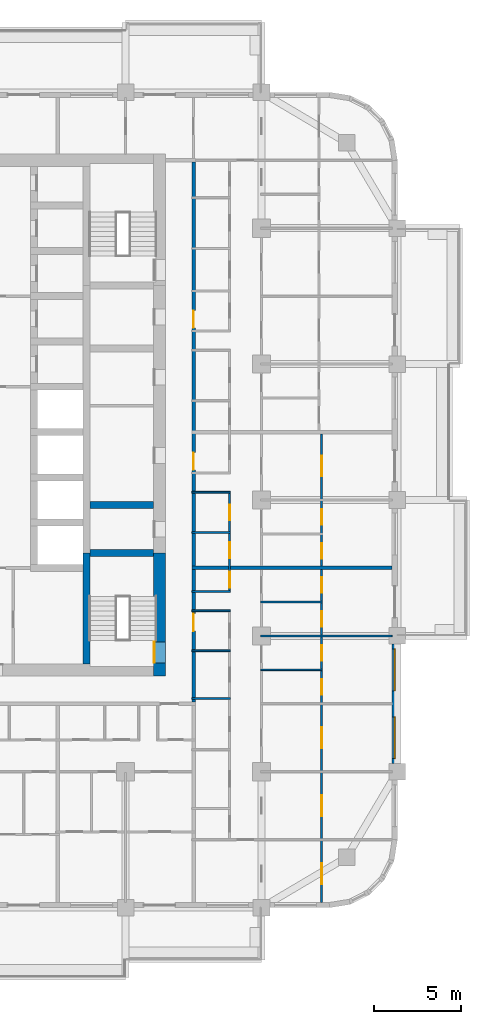
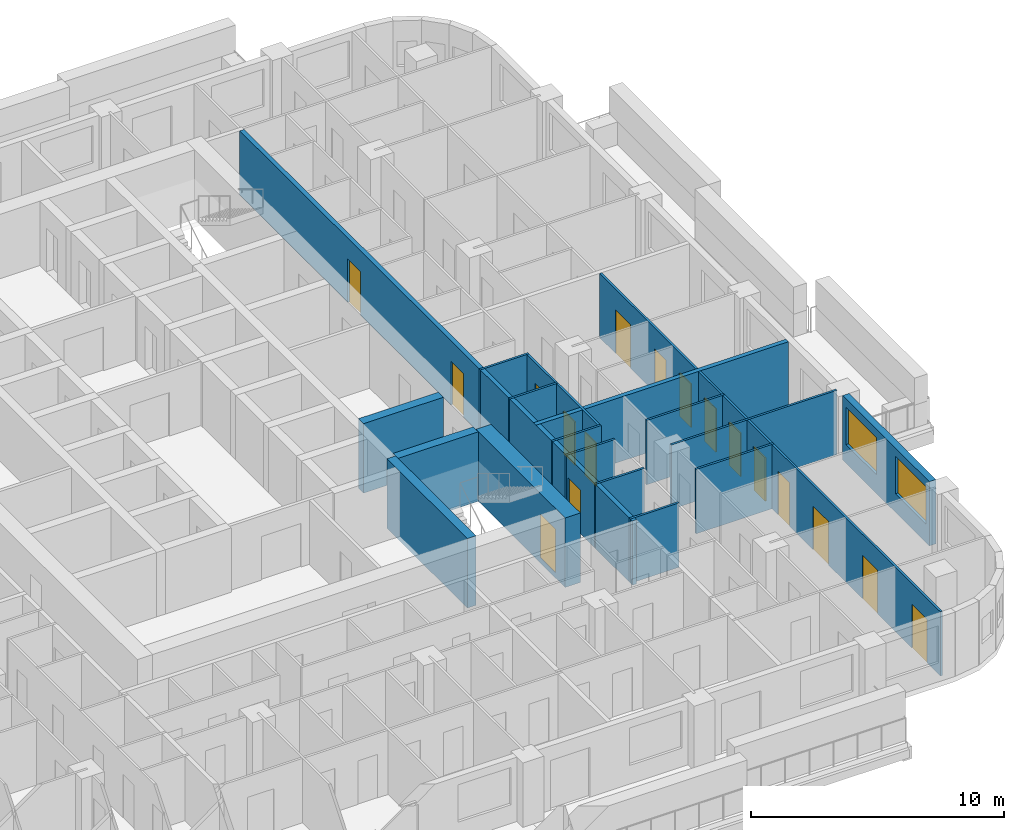
# One storey, part 8 of 17: 18 walls, 17 doors, 2 windows, 19 openings.
"""IFC4 building model written with IfcOpenShell, lengths in metres."""

from ifc_helpers import new_model, si_unit, direction, frame, frame_2d, origin, place, context, subcontext, project, spatial, rectangle, extrude, material, layer, layer_set, type_object, element, fill, save


model = new_model("IFC4")

# Units and contexts
model_context = context("Model", 3, precision=1e-05, world=origin(), true_north=direction((0.0, 1.0)))
body_context = subcontext(model_context, "Body", "Model", "MODEL_VIEW")
ifc_project = project(units=[si_unit("LENGTHUNIT", "METRE"), si_unit("AREAUNIT", "SQUARE_METRE"), si_unit("VOLUMEUNIT", "CUBIC_METRE"), si_unit("PLANEANGLEUNIT", "RADIAN"), si_unit("MASSUNIT", "GRAM", prefix="KILO")], contexts=[model_context])

# Site, building, storey
site_placement = place(None, origin())
site = spatial("IfcSite", under=ifc_project, at=site_placement, CompositionType="ELEMENT")
building_placement = place(site_placement, origin())
building = spatial("IfcBuilding", under=site, at=building_placement, Name="Ludao Terraces", CompositionType="ELEMENT")
storey_placement = place(building_placement, frame((0.0, 0.0, 92.0)))
storey = spatial("IfcBuildingStorey", under=building, at=storey_placement, Name="L25", CompositionType="ELEMENT", Elevation=92.0)

# Wall, opening, door
ifc_material_1 = material(Name="Concrete C70", Category="concrete")
ifc_layer_1 = layer(ifc_material_1, 0.699951171875)
ifc_layer_set_1 = layer_set([ifc_layer_1], Name="Core wall 700 C70")
wall_type_1 = type_object("IfcWallType", Name="Core wall 700 C70", PredefinedType="SOLIDWALL", material=ifc_layer_set_1)
wall_1_placement = place(storey_placement, frame((94.75, 54.89990234375, -0.25), z_axis=(0.0, 0.0, 1.0), x_axis=(0.0, 1.0, 0.0)))
wall_1 = element("IfcWall", 1, at=wall_1_placement, inside=storey, type_object=wall_type_1, Name="Core wall L25 outer-E-S3", PredefinedType="SOLIDWALL", context=body_context, shape_type="SweptSolid", body=[
    extrude(rectangle(XDim=7.050048828125, YDim=0.699951171875, at=frame_2d((3.52490234375, 0.0))), origin(), (0.0, 0.0, 1.0), 3.35009765625),
])
opening_1_placement = place(wall_1_placement, frame((0.75, 0.0, 0.25)))
opening_1 = element("IfcOpeningElement", 2, at=opening_1_placement, cuts=wall_1, Name="Opening R07-058", PredefinedType="OPENING", context=body_context, shape_type="SweptSolid", body=[
    extrude(rectangle(XDim=1.199951171875, YDim=2.10009765625, at=frame_2d((0.60009765625, 1.050048828125))), frame((0.0, 0.35986328125, 0.0), z_axis=(0.0, -1.0, 0.0), x_axis=(1.0, 0.0, 0.0)), (0.0, 0.0, 1.0), 0.719970703125),
])
ifc_material_2 = material(Name="Steel Q235", Category="steel")
door_type_1 = type_object("IfcDoorType", Name="INT Stair door 1200", OperationType="DOUBLE_DOOR_SINGLE_SWING", PredefinedType="DOOR", material=ifc_material_2)
door_1_placement = place(opening_1_placement, origin())
door_1 = element("IfcDoor", 3, at=door_1_placement, inside=storey, type_object=door_type_1, Name="DOOR 058", OperationType="DOUBLE_DOOR_SINGLE_SWING", OverallHeight=2.10009765625, OverallWidth=1.199951171875, PredefinedType="DOOR", context=body_context, shape_type="SweptSolid", body=[
    extrude(rectangle(XDim=1.199951171875, YDim=2.10009765625, at=frame_2d((0.60009765625, 1.050048828125))), frame((0.0, 0.3349609375, 0.0), z_axis=(0.0, -1.0, 0.0), x_axis=(1.0, 0.0, 0.0)), (0.0, 0.0, 1.0), 0.050048828125),
])
fill(opening_1, door_1)

# Wall, openings, windows
ifc_material_3 = material(Name="Granite cladding", Category="masonry")
ifc_layer_2 = layer(ifc_material_3, 0.0400390625, Category="stone")
ifc_material_4 = material(Name="Mineral wool")
ifc_layer_3 = layer(ifc_material_4, 0.06005859375)
ifc_material_5 = material(Name="Concrete C40", Category="concrete")
ifc_layer_4 = layer(ifc_material_5, 0.199951171875, Category="concrete")
ifc_layer_set_2 = layer_set([ifc_layer_2, ifc_layer_3, ifc_layer_4], Name="ENV Stone-clad wall 300")
wall_type_2 = type_object("IfcWallType", Name="ENV Stone-clad wall 300", PredefinedType="SOLIDWALL", material=ifc_layer_set_2)
wall_2_placement = place(storey_placement, frame((108.25, 49.875, 0.0), z_axis=(0.0, 0.0, 1.0), x_axis=(0.0, 1.0, 0.0)))
wall_2 = element("IfcWall", 4, at=wall_2_placement, inside=storey, type_object=wall_type_2, Name="EW-L25-E2", PredefinedType="SOLIDWALL", context=body_context, shape_type="SweptSolid", body=[
    extrude(rectangle(XDim=6.85009765625, YDim=0.300048828125, at=frame_2d((3.425048828125, 0.0))), origin(), (0.0, 0.0, 1.0), 3.10009765625),
])
opening_2_placement = place(wall_2_placement, frame((0.27490234375, 0.0, 0.89990234375)))
opening_2 = element("IfcOpeningElement", 5, at=opening_2_placement, cuts=wall_2, Name="Opening W1", PredefinedType="OPENING", context=body_context, shape_type="SweptSolid", body=[
    extrude(rectangle(XDim=2.39990234375, YDim=1.800048828125, at=frame_2d((1.199951171875, 0.89990234375))), frame((0.0, 0.16015625, 0.0), z_axis=(0.0, -1.0, 0.0), x_axis=(1.0, 0.0, 0.0)), (0.0, 0.0, 1.0), 0.320068359375),
])
opening_3_placement = place(wall_2_placement, frame((4.175048828125, 0.0, 0.89990234375)))
opening_3 = element("IfcOpeningElement", 6, at=opening_3_placement, cuts=wall_2, Name="Opening W1", PredefinedType="OPENING", context=body_context, shape_type="SweptSolid", body=[
    extrude(rectangle(XDim=2.39990234375, YDim=1.800048828125, at=frame_2d((1.199951171875, 0.89990234375))), frame((0.0, 0.16015625, 0.0), z_axis=(0.0, -1.0, 0.0), x_axis=(1.0, 0.0, 0.0)), (0.0, 0.0, 1.0), 0.320068359375),
])
ifc_material_6 = material(Name="Clear glass in aluminium frame", Category="aluminium")
ifc_layer_5 = layer(ifc_material_6, 0.06005859375)
ifc_layer_set_3 = layer_set([ifc_layer_5], Name="ENV Window W1 2400x1800")
window_type = type_object("IfcWindowType", Name="ENV Window W1 2400x1800", PartitioningType="DOUBLE_PANEL_VERTICAL", PredefinedType="WINDOW", material=ifc_layer_set_3)
window_1_placement = place(opening_2_placement, origin())
window_1 = element("IfcWindow", 7, at=window_1_placement, inside=storey, type_object=window_type, Name="W-L25-E2-1", OverallHeight=1.800048828125, OverallWidth=2.39990234375, PartitioningType="DOUBLE_PANEL_VERTICAL", PredefinedType="WINDOW", context=body_context, shape_type="SweptSolid", body=[
    extrude(rectangle(XDim=2.39990234375, YDim=1.800048828125, at=frame_2d((1.199951171875, 0.89990234375))), frame((0.0, 0.030029296875, 0.0), z_axis=(0.0, -1.0, 0.0), x_axis=(1.0, 0.0, 0.0)), (0.0, 0.0, 1.0), 0.06005859375),
])
fill(opening_2, window_1)
window_2_placement = place(opening_3_placement, origin())
window_2 = element("IfcWindow", 8, at=window_2_placement, inside=storey, type_object=window_type, Name="W-L25-E2-2", OverallHeight=1.800048828125, OverallWidth=2.39990234375, PartitioningType="DOUBLE_PANEL_VERTICAL", PredefinedType="WINDOW", context=body_context, shape_type="SweptSolid", body=[
    extrude(rectangle(XDim=2.39990234375, YDim=1.800048828125, at=frame_2d((1.199951171875, 0.89990234375))), frame((0.0, 0.030029296875, 0.0), z_axis=(0.0, -1.0, 0.0), x_axis=(1.0, 0.0, 0.0)), (0.0, 0.0, 1.0), 0.06005859375),
])
fill(opening_3, window_2)

# Wall, openings, doors
ifc_material_7 = material(Name="Autoclaved aerated concrete block B06 A3.5", Category="concrete")
ifc_layer_6 = layer(ifc_material_7, 0.199951171875)
ifc_layer_set_4 = layer_set([ifc_layer_6], Name="INT Entrance wall 200")
wall_type_3 = type_object("IfcWallType", Name="INT Entrance wall 200", PredefinedType="PARTITIONING", material=ifc_layer_set_4)
wall_3_placement = place(storey_placement, frame((96.699951171875, 53.400146484375, 0.0), z_axis=(0.0, 0.0, 1.0), x_axis=(0.0, 1.0, 0.0)))
wall_3 = element("IfcWall", 9, at=wall_3_placement, inside=storey, type_object=wall_type_3, Name="PW-L25-PW115", PredefinedType="PARTITIONING", context=body_context, shape_type="SweptSolid", body=[
    extrude(rectangle(XDim=31.0, YDim=0.199951171875, at=frame_2d((15.5, 0.0))), origin(), (0.0, 0.0, 1.0), 3.10009765625),
])
opening_4_placement = place(wall_3_placement, frame((4.074951171875, 0.0, 0.0)))
opening_4 = element("IfcOpeningElement", 10, at=opening_4_placement, cuts=wall_3, Name="Opening R07-061", PredefinedType="OPENING", context=body_context, shape_type="SweptSolid", body=[
    extrude(rectangle(XDim=1.0, YDim=2.10009765625, at=frame_2d((0.5, 1.050048828125))), frame((0.0, 0.10986328125, 0.0), z_axis=(0.0, -1.0, 0.0), x_axis=(1.0, 0.0, 0.0)), (0.0, 0.0, 1.0), 0.219970703125),
])
opening_5_placement = place(wall_3_placement, frame((13.324951171875, 0.0, 0.0)))
opening_5 = element("IfcOpeningElement", 11, at=opening_5_placement, cuts=wall_3, Name="Opening R07-090", PredefinedType="OPENING", context=body_context, shape_type="SweptSolid", body=[
    extrude(rectangle(XDim=1.0, YDim=2.10009765625, at=frame_2d((0.5, 1.050048828125))), frame((0.0, 0.10986328125, 0.0), z_axis=(0.0, -1.0, 0.0), x_axis=(1.0, 0.0, 0.0)), (0.0, 0.0, 1.0), 0.219970703125),
])
opening_6_placement = place(wall_3_placement, frame((21.47509765625, 0.0, 0.0)))
opening_6 = element("IfcOpeningElement", 12, at=opening_6_placement, cuts=wall_3, Name="Opening R07-116", PredefinedType="OPENING", context=body_context, shape_type="SweptSolid", body=[
    extrude(rectangle(XDim=1.0, YDim=2.10009765625, at=frame_2d((0.5, 1.050048828125))), frame((0.0, 0.10986328125, 0.0), z_axis=(0.0, -1.0, 0.0), x_axis=(1.0, 0.0, 0.0)), (0.0, 0.0, 1.0), 0.219970703125),
])
door_type_2 = type_object("IfcDoorType", Name="INT Flat entrance door 1000", OperationType="SINGLE_SWING_LEFT", PredefinedType="DOOR", material=ifc_material_2)
door_2_placement = place(opening_4_placement, origin())
door_2 = element("IfcDoor", 13, at=door_2_placement, inside=storey, type_object=door_type_2, Name="DOOR 061", OperationType="SINGLE_SWING_RIGHT", OverallHeight=2.10009765625, OverallWidth=1.0, PredefinedType="DOOR", context=body_context, shape_type="SweptSolid", body=[
    extrude(rectangle(XDim=1.0, YDim=2.10009765625, at=frame_2d((0.5, 1.050048828125))), frame((0.0, 0.02490234375, 0.0), z_axis=(0.0, -1.0, 0.0), x_axis=(1.0, 0.0, 0.0)), (0.0, 0.0, 1.0), 0.050048828125),
])
fill(opening_4, door_2)
door_3_placement = place(opening_5_placement, origin())
door_3 = element("IfcDoor", 14, at=door_3_placement, inside=storey, type_object=door_type_2, Name="DOOR 090", OperationType="SINGLE_SWING_LEFT", OverallHeight=2.10009765625, OverallWidth=1.0, PredefinedType="DOOR", context=body_context, shape_type="SweptSolid", body=[
    extrude(rectangle(XDim=1.0, YDim=2.10009765625, at=frame_2d((0.5, 1.050048828125))), frame((0.0, 0.02490234375, 0.0), z_axis=(0.0, -1.0, 0.0), x_axis=(1.0, 0.0, 0.0)), (0.0, 0.0, 1.0), 0.050048828125),
])
fill(opening_5, door_3)
door_4_placement = place(opening_6_placement, origin())
door_4 = element("IfcDoor", 15, at=door_4_placement, inside=storey, type_object=door_type_2, Name="DOOR 116", OperationType="SINGLE_SWING_LEFT", OverallHeight=2.10009765625, OverallWidth=1.0, PredefinedType="DOOR", context=body_context, shape_type="SweptSolid", body=[
    extrude(rectangle(XDim=1.0, YDim=2.10009765625, at=frame_2d((0.5, 1.050048828125))), frame((0.0, 0.02490234375, 0.0), z_axis=(0.0, -1.0, 0.0), x_axis=(1.0, 0.0, 0.0)), (0.0, 0.0, 1.0), 0.050048828125),
])
fill(opening_6, door_4)

# Walls
ifc_material_8 = material(Name="Gypsum plasterboard", Category="gypsum")
ifc_layer_7 = layer(ifc_material_8, 0.012451171875, Category="gypsum")
ifc_layer_8 = layer(ifc_material_4, 0.06005859375, Name="insulation")
ifc_layer_9 = layer(ifc_material_2, 0.014892578125, Name="stud")
ifc_layer_10 = layer(ifc_material_8, 0.012451171875, Category="gypsum")
ifc_layer_set_5 = layer_set([ifc_layer_7, ifc_layer_8, ifc_layer_9, ifc_layer_10], Name="INT Partition 100")
wall_type_4 = type_object("IfcWallType", Name="INT Partition 100", PredefinedType="PARTITIONING", material=ifc_layer_set_5)
wall_4_placement = place(storey_placement, frame((96.60009765625, 53.60009765625, 0.0), z_axis=(0.0, 0.0, 1.0), x_axis=(1.0, 0.0, 0.0)))
element("IfcWall", 16, at=wall_4_placement, inside=storey, type_object=wall_type_4, Name="PW-L25-PW019", PredefinedType="PARTITIONING", context=body_context, shape_type="SweptSolid", body=[
    extrude(rectangle(XDim=2.219970703125, YDim=0.10009765625, at=frame_2d((1.10986328125, 0.0))), origin(), (0.0, 0.0, 1.0), 3.10009765625),
])
wall_5_placement = place(storey_placement, frame((100.550048828125, 55.25, 0.0), z_axis=(0.0, 0.0, 1.0), x_axis=(1.0, 0.0, 0.0)))
element("IfcWall", 17, at=wall_5_placement, inside=storey, type_object=wall_type_4, Name="PW-L25-PW021", PredefinedType="PARTITIONING", context=body_context, shape_type="SweptSolid", body=[
    extrude(rectangle(XDim=3.550048828125, YDim=0.10009765625, at=frame_2d((1.77490234375, 0.0))), origin(), (0.0, 0.0, 1.0), 3.10009765625),
])
wall_6_placement = place(storey_placement, frame((96.60009765625, 56.35009765625, 0.0), z_axis=(0.0, 0.0, 1.0), x_axis=(1.0, 0.0, 0.0)))
element("IfcWall", 18, at=wall_6_placement, inside=storey, type_object=wall_type_4, Name="PW-L25-PW022", PredefinedType="PARTITIONING", context=body_context, shape_type="SweptSolid", body=[
    extrude(rectangle(XDim=2.219970703125, YDim=0.10009765625, at=frame_2d((1.10986328125, 0.0))), origin(), (0.0, 0.0, 1.0), 3.10009765625),
])
wall_7_placement = place(storey_placement, frame((100.550048828125, 57.199951171875, 0.0), z_axis=(0.0, 0.0, 1.0), x_axis=(1.0, 0.0, 0.0)))
element("IfcWall", 19, at=wall_7_placement, inside=storey, type_object=wall_type_4, Name="PW-L25-PW025", PredefinedType="PARTITIONING", context=body_context, shape_type="SweptSolid", body=[
    extrude(rectangle(XDim=7.550048828125, YDim=0.10009765625, at=frame_2d((3.77490234375, 0.0))), origin(), (0.0, 0.0, 1.0), 3.10009765625),
])
wall_8_placement = place(storey_placement, frame((96.60009765625, 58.64990234375, 0.0), z_axis=(0.0, 0.0, 1.0), x_axis=(1.0, 0.0, 0.0)))
element("IfcWall", 20, at=wall_8_placement, inside=storey, type_object=wall_type_4, Name="PW-L25-PW026", PredefinedType="PARTITIONING", context=body_context, shape_type="SweptSolid", body=[
    extrude(rectangle(XDim=2.219970703125, YDim=0.10009765625, at=frame_2d((1.10986328125, 0.0))), origin(), (0.0, 0.0, 1.0), 3.10009765625),
])
wall_9_placement = place(storey_placement, frame((100.550048828125, 59.14990234375, 0.0), z_axis=(0.0, 0.0, 1.0), x_axis=(1.0, 0.0, 0.0)))
element("IfcWall", 21, at=wall_9_placement, inside=storey, type_object=wall_type_4, Name="PW-L25-PW029", PredefinedType="PARTITIONING", context=body_context, shape_type="SweptSolid", body=[
    extrude(rectangle(XDim=3.550048828125, YDim=0.10009765625, at=frame_2d((1.77490234375, 0.0))), origin(), (0.0, 0.0, 1.0), 3.10009765625),
])
for number, where, z_axis, x_axis, name in (
    (22, (96.60009765625, 59.75, 0.0), (0.0, 0.0, 1.0), (1.0, 0.0, 0.0), "PW-L25-PW030"),
    (23, (96.60009765625, 63.1298828125, 0.0), (0.0, 0.0, 1.0), (1.0, 0.0, 0.0), "PW-L25-PW036"),
    (24, (96.60009765625, 65.449951171875, 0.0), (0.0, 0.0, 1.0), (1.0, 0.0, 0.0), "PW-L25-PW040"),
):
    element("IfcWall", number, at=place(storey_placement, frame(where, z_axis=z_axis, x_axis=x_axis)), inside=storey, type_object=wall_type_4, Name=name, PredefinedType="PARTITIONING", context=body_context, shape_type="SweptSolid", body=[
        extrude(rectangle(XDim=2.219970703125, YDim=0.10009765625, at=frame_2d((1.10986328125, 0.0))), origin(), (0.0, 0.0, 1.0), 3.10009765625),
    ])

# Wall, openings, doors
wall_10_placement = place(storey_placement, frame((98.77001953125, 59.800048828125, 0.0), z_axis=(0.0, 0.0, 1.0), x_axis=(0.0, 1.0, 0.0)))
wall_10 = element("IfcWall", 25, at=wall_10_placement, inside=storey, type_object=wall_type_4, Name="PW-L25-PW118", PredefinedType="PARTITIONING", context=body_context, shape_type="SweptSolid", body=[
    extrude(rectangle(XDim=5.60009765625, YDim=0.10009765625, at=frame_2d((2.800048828125, 0.0))), origin(), (0.0, 0.0, 1.0), 3.10009765625),
])
opening_7_placement = place(wall_10_placement, frame((0.175048828125, 0.0, 0.0)))
opening_7 = element("IfcOpeningElement", 26, at=opening_7_placement, cuts=wall_10, Name="Opening R07-071", PredefinedType="OPENING", context=body_context, shape_type="SweptSolid", body=[
    extrude(rectangle(XDim=0.89990234375, YDim=2.10009765625, at=frame_2d((0.449951171875, 1.050048828125))), frame((0.0, 0.06005859375, 0.0), z_axis=(0.0, -1.0, 0.0), x_axis=(1.0, 0.0, 0.0)), (0.0, 0.0, 1.0), 0.1201171875),
])
opening_8_placement = place(wall_10_placement, frame((1.864990234375, 0.0, 0.0)))
opening_8 = element("IfcOpeningElement", 27, at=opening_8_placement, cuts=wall_10, Name="Opening R07-074", PredefinedType="OPENING", context=body_context, shape_type="SweptSolid", body=[
    extrude(rectangle(XDim=0.89990234375, YDim=2.10009765625, at=frame_2d((0.449951171875, 1.050048828125))), frame((0.0, 0.06005859375, 0.0), z_axis=(0.0, -1.0, 0.0), x_axis=(1.0, 0.0, 0.0)), (0.0, 0.0, 1.0), 0.1201171875),
])
opening_9_placement = place(wall_10_placement, frame((4.0400390625, 0.0, 0.0)))
opening_9 = element("IfcOpeningElement", 28, at=opening_9_placement, cuts=wall_10, Name="Opening R07-083", PredefinedType="OPENING", context=body_context, shape_type="SweptSolid", body=[
    extrude(rectangle(XDim=0.89990234375, YDim=2.10009765625, at=frame_2d((0.449951171875, 1.050048828125))), frame((0.0, 0.06005859375, 0.0), z_axis=(0.0, -1.0, 0.0), x_axis=(1.0, 0.0, 0.0)), (0.0, 0.0, 1.0), 0.1201171875),
])
ifc_material_9 = material(Name="Timber door leaf", Category="wood")
door_type_3 = type_object("IfcDoorType", Name="INT Bathroom door 900", OperationType="SINGLE_SWING_LEFT", PredefinedType="DOOR", material=ifc_material_9)
door_5_placement = place(opening_7_placement, origin())
door_5 = element("IfcDoor", 29, at=door_5_placement, inside=storey, type_object=door_type_3, Name="DOOR 071", OperationType="SINGLE_SWING_RIGHT", OverallHeight=2.10009765625, OverallWidth=0.89990234375, PredefinedType="DOOR", context=body_context, shape_type="SweptSolid", body=[
    extrude(rectangle(XDim=0.89990234375, YDim=2.10009765625, at=frame_2d((0.449951171875, 1.050048828125))), frame((0.0, 0.02490234375, 0.0), z_axis=(0.0, -1.0, 0.0), x_axis=(1.0, 0.0, 0.0)), (0.0, 0.0, 1.0), 0.050048828125),
])
fill(opening_7, door_5)
door_6_placement = place(opening_8_placement, origin())
door_6 = element("IfcDoor", 30, at=door_6_placement, inside=storey, type_object=door_type_3, Name="DOOR 074", OperationType="SINGLE_SWING_LEFT", OverallHeight=2.10009765625, OverallWidth=0.89990234375, PredefinedType="DOOR", context=body_context, shape_type="SweptSolid", body=[
    extrude(rectangle(XDim=0.89990234375, YDim=2.10009765625, at=frame_2d((0.449951171875, 1.050048828125))), frame((0.0, 0.02490234375, 0.0), z_axis=(0.0, -1.0, 0.0), x_axis=(1.0, 0.0, 0.0)), (0.0, 0.0, 1.0), 0.050048828125),
])
fill(opening_8, door_6)
door_type_4 = type_object("IfcDoorType", Name="INT Room door 900", OperationType="SINGLE_SWING_LEFT", PredefinedType="DOOR", material=ifc_material_9)
door_7_placement = place(opening_9_placement, origin())
door_7 = element("IfcDoor", 31, at=door_7_placement, inside=storey, type_object=door_type_4, Name="DOOR 083", OperationType="SINGLE_SWING_LEFT", OverallHeight=2.10009765625, OverallWidth=0.89990234375, PredefinedType="DOOR", context=body_context, shape_type="SweptSolid", body=[
    extrude(rectangle(XDim=0.89990234375, YDim=2.10009765625, at=frame_2d((0.449951171875, 1.050048828125))), frame((0.0, 0.02490234375, 0.0), z_axis=(0.0, -1.0, 0.0), x_axis=(1.0, 0.0, 0.0)), (0.0, 0.0, 1.0), 0.050048828125),
])
fill(opening_9, door_7)

wall_11_placement = place(storey_placement, frame((104.050048828125, 41.900146484375, 0.0), z_axis=(0.0, 0.0, 1.0), x_axis=(0.0, 1.0, 0.0)))
wall_11 = element("IfcWall", 32, at=wall_11_placement, inside=storey, type_object=wall_type_4, Name="PW-L25-PW123", PredefinedType="PARTITIONING", context=body_context, shape_type="SweptSolid", body=[
    extrude(rectangle(XDim=26.89990234375, YDim=0.10009765625, at=frame_2d((13.449951171875, 0.0))), origin(), (0.0, 0.0, 1.0), 3.10009765625),
])
opening_10_placement = place(wall_11_placement, frame((1.050048828125, 0.0, 0.0)))
opening_10 = element("IfcOpeningElement", 33, at=opening_10_placement, cuts=wall_11, Name="Opening R07-004", PredefinedType="OPENING", context=body_context, shape_type="SweptSolid", body=[
    extrude(rectangle(XDim=1.199951171875, YDim=2.10009765625, at=frame_2d((0.60009765625, 1.050048828125))), frame((0.0, 0.06005859375, 0.0), z_axis=(0.0, -1.0, 0.0), x_axis=(1.0, 0.0, 0.0)), (0.0, 0.0, 1.0), 0.1201171875),
])
opening_11_placement = place(wall_11_placement, frame((4.949951171875, 0.0, 0.0)))
opening_11 = element("IfcOpeningElement", 34, at=opening_11_placement, cuts=wall_11, Name="Opening R07-021", PredefinedType="OPENING", context=body_context, shape_type="SweptSolid", body=[
    extrude(rectangle(XDim=1.199951171875, YDim=2.10009765625, at=frame_2d((0.60009765625, 1.050048828125))), frame((0.0, 0.06005859375, 0.0), z_axis=(0.0, -1.0, 0.0), x_axis=(1.0, 0.0, 0.0)), (0.0, 0.0, 1.0), 0.1201171875),
])
opening_12_placement = place(wall_11_placement, frame((8.85009765625, 0.0, 0.0)))
opening_12 = element("IfcOpeningElement", 35, at=opening_12_placement, cuts=wall_11, Name="Opening R07-044", PredefinedType="OPENING", context=body_context, shape_type="SweptSolid", body=[
    extrude(rectangle(XDim=1.199951171875, YDim=2.10009765625, at=frame_2d((0.60009765625, 1.050048828125))), frame((0.0, 0.06005859375, 0.0), z_axis=(0.0, -1.0, 0.0), x_axis=(1.0, 0.0, 0.0)), (0.0, 0.0, 1.0), 0.1201171875),
])
opening_13_placement = place(wall_11_placement, frame((11.925048828125, 0.0, 0.0)))
opening_13 = element("IfcOpeningElement", 36, at=opening_13_placement, cuts=wall_11, Name="Opening R07-050", PredefinedType="OPENING", context=body_context, shape_type="SweptSolid", body=[
    extrude(rectangle(XDim=0.89990234375, YDim=2.10009765625, at=frame_2d((0.449951171875, 1.050048828125))), frame((0.0, 0.06005859375, 0.0), z_axis=(0.0, -1.0, 0.0), x_axis=(1.0, 0.0, 0.0)), (0.0, 0.0, 1.0), 0.1201171875),
])
opening_14_placement = place(wall_11_placement, frame((13.875, 0.0, 0.0)))
opening_14 = element("IfcOpeningElement", 37, at=opening_14_placement, cuts=wall_11, Name="Opening R07-057", PredefinedType="OPENING", context=body_context, shape_type="SweptSolid", body=[
    extrude(rectangle(XDim=0.89990234375, YDim=2.10009765625, at=frame_2d((0.449951171875, 1.050048828125))), frame((0.0, 0.06005859375, 0.0), z_axis=(0.0, -1.0, 0.0), x_axis=(1.0, 0.0, 0.0)), (0.0, 0.0, 1.0), 0.1201171875),
])
opening_15_placement = place(wall_11_placement, frame((15.824951171875, 0.0, 0.0)))
opening_15 = element("IfcOpeningElement", 38, at=opening_15_placement, cuts=wall_11, Name="Opening R07-065", PredefinedType="OPENING", context=body_context, shape_type="SweptSolid", body=[
    extrude(rectangle(XDim=0.89990234375, YDim=2.10009765625, at=frame_2d((0.449951171875, 1.050048828125))), frame((0.0, 0.06005859375, 0.0), z_axis=(0.0, -1.0, 0.0), x_axis=(1.0, 0.0, 0.0)), (0.0, 0.0, 1.0), 0.1201171875),
])
opening_16_placement = place(wall_11_placement, frame((17.77490234375, 0.0, 0.0)))
opening_16 = element("IfcOpeningElement", 39, at=opening_16_placement, cuts=wall_11, Name="Opening R07-069", PredefinedType="OPENING", context=body_context, shape_type="SweptSolid", body=[
    extrude(rectangle(XDim=0.89990234375, YDim=2.10009765625, at=frame_2d((0.449951171875, 1.050048828125))), frame((0.0, 0.06005859375, 0.0), z_axis=(0.0, -1.0, 0.0), x_axis=(1.0, 0.0, 0.0)), (0.0, 0.0, 1.0), 0.1201171875),
])
opening_17_placement = place(wall_11_placement, frame((19.72509765625, 0.0, 0.0)))
opening_17 = element("IfcOpeningElement", 40, at=opening_17_placement, cuts=wall_11, Name="Opening R07-073", PredefinedType="OPENING", context=body_context, shape_type="SweptSolid", body=[
    extrude(rectangle(XDim=0.89990234375, YDim=2.10009765625, at=frame_2d((0.449951171875, 1.050048828125))), frame((0.0, 0.06005859375, 0.0), z_axis=(0.0, -1.0, 0.0), x_axis=(1.0, 0.0, 0.0)), (0.0, 0.0, 1.0), 0.1201171875),
])
opening_18_placement = place(wall_11_placement, frame((21.675048828125, 0.0, 0.0)))
opening_18 = element("IfcOpeningElement", 41, at=opening_18_placement, cuts=wall_11, Name="Opening R07-082", PredefinedType="OPENING", context=body_context, shape_type="SweptSolid", body=[
    extrude(rectangle(XDim=0.89990234375, YDim=2.10009765625, at=frame_2d((0.449951171875, 1.050048828125))), frame((0.0, 0.06005859375, 0.0), z_axis=(0.0, -1.0, 0.0), x_axis=(1.0, 0.0, 0.0)), (0.0, 0.0, 1.0), 0.1201171875),
])
opening_19_placement = place(wall_11_placement, frame((24.449951171875, 0.0, 0.0)))
opening_19 = element("IfcOpeningElement", 42, at=opening_19_placement, cuts=wall_11, Name="Opening R07-089", PredefinedType="OPENING", context=body_context, shape_type="SweptSolid", body=[
    extrude(rectangle(XDim=1.199951171875, YDim=2.10009765625, at=frame_2d((0.60009765625, 1.050048828125))), frame((0.0, 0.06005859375, 0.0), z_axis=(0.0, -1.0, 0.0), x_axis=(1.0, 0.0, 0.0)), (0.0, 0.0, 1.0), 0.1201171875),
])
door_8_placement = place(opening_13_placement, origin())
door_8 = element("IfcDoor", 43, at=door_8_placement, inside=storey, type_object=door_type_3, Name="DOOR 050", OperationType="SINGLE_SWING_LEFT", OverallHeight=2.10009765625, OverallWidth=0.89990234375, PredefinedType="DOOR", context=body_context, shape_type="SweptSolid", body=[
    extrude(rectangle(XDim=0.89990234375, YDim=2.10009765625, at=frame_2d((0.449951171875, 1.050048828125))), frame((0.0, 0.02490234375, 0.0), z_axis=(0.0, -1.0, 0.0), x_axis=(1.0, 0.0, 0.0)), (0.0, 0.0, 1.0), 0.050048828125),
])
fill(opening_13, door_8)
door_9_placement = place(opening_15_placement, origin())
door_9 = element("IfcDoor", 44, at=door_9_placement, inside=storey, type_object=door_type_3, Name="DOOR 065", OperationType="SINGLE_SWING_LEFT", OverallHeight=2.10009765625, OverallWidth=0.89990234375, PredefinedType="DOOR", context=body_context, shape_type="SweptSolid", body=[
    extrude(rectangle(XDim=0.89990234375, YDim=2.10009765625, at=frame_2d((0.449951171875, 1.050048828125))), frame((0.0, 0.02490234375, 0.0), z_axis=(0.0, -1.0, 0.0), x_axis=(1.0, 0.0, 0.0)), (0.0, 0.0, 1.0), 0.050048828125),
])
fill(opening_15, door_9)
door_10_placement = place(opening_17_placement, origin())
door_10 = element("IfcDoor", 45, at=door_10_placement, inside=storey, type_object=door_type_3, Name="DOOR 073", OperationType="SINGLE_SWING_LEFT", OverallHeight=2.10009765625, OverallWidth=0.89990234375, PredefinedType="DOOR", context=body_context, shape_type="SweptSolid", body=[
    extrude(rectangle(XDim=0.89990234375, YDim=2.10009765625, at=frame_2d((0.449951171875, 1.050048828125))), frame((0.0, 0.02490234375, 0.0), z_axis=(0.0, -1.0, 0.0), x_axis=(1.0, 0.0, 0.0)), (0.0, 0.0, 1.0), 0.050048828125),
])
fill(opening_17, door_10)
door_type_5 = type_object("IfcDoorType", Name="INT Double door 1200", OperationType="DOUBLE_DOOR_SINGLE_SWING", PredefinedType="DOOR", material=ifc_material_9)
door_11_placement = place(opening_10_placement, origin())
door_11 = element("IfcDoor", 46, at=door_11_placement, inside=storey, type_object=door_type_5, Name="DOOR 004", OperationType="DOUBLE_DOOR_SINGLE_SWING", OverallHeight=2.10009765625, OverallWidth=1.199951171875, PredefinedType="DOOR", context=body_context, shape_type="SweptSolid", body=[
    extrude(rectangle(XDim=1.199951171875, YDim=2.10009765625, at=frame_2d((0.60009765625, 1.050048828125))), frame((0.0, 0.02490234375, 0.0), z_axis=(0.0, -1.0, 0.0), x_axis=(1.0, 0.0, 0.0)), (0.0, 0.0, 1.0), 0.050048828125),
])
fill(opening_10, door_11)
door_12_placement = place(opening_11_placement, origin())
door_12 = element("IfcDoor", 47, at=door_12_placement, inside=storey, type_object=door_type_5, Name="DOOR 021", OperationType="DOUBLE_DOOR_SINGLE_SWING", OverallHeight=2.10009765625, OverallWidth=1.199951171875, PredefinedType="DOOR", context=body_context, shape_type="SweptSolid", body=[
    extrude(rectangle(XDim=1.199951171875, YDim=2.10009765625, at=frame_2d((0.60009765625, 1.050048828125))), frame((0.0, 0.02490234375, 0.0), z_axis=(0.0, -1.0, 0.0), x_axis=(1.0, 0.0, 0.0)), (0.0, 0.0, 1.0), 0.050048828125),
])
fill(opening_11, door_12)
door_13_placement = place(opening_12_placement, origin())
door_13 = element("IfcDoor", 48, at=door_13_placement, inside=storey, type_object=door_type_5, Name="DOOR 044", OperationType="DOUBLE_DOOR_SINGLE_SWING", OverallHeight=2.10009765625, OverallWidth=1.199951171875, PredefinedType="DOOR", context=body_context, shape_type="SweptSolid", body=[
    extrude(rectangle(XDim=1.199951171875, YDim=2.10009765625, at=frame_2d((0.60009765625, 1.050048828125))), frame((0.0, 0.02490234375, 0.0), z_axis=(0.0, -1.0, 0.0), x_axis=(1.0, 0.0, 0.0)), (0.0, 0.0, 1.0), 0.050048828125),
])
fill(opening_12, door_13)
door_14_placement = place(opening_19_placement, origin())
door_14 = element("IfcDoor", 49, at=door_14_placement, inside=storey, type_object=door_type_5, Name="DOOR 089", OperationType="DOUBLE_DOOR_SINGLE_SWING", OverallHeight=2.10009765625, OverallWidth=1.199951171875, PredefinedType="DOOR", context=body_context, shape_type="SweptSolid", body=[
    extrude(rectangle(XDim=1.199951171875, YDim=2.10009765625, at=frame_2d((0.60009765625, 1.050048828125))), frame((0.0, 0.02490234375, 0.0), z_axis=(0.0, -1.0, 0.0), x_axis=(1.0, 0.0, 0.0)), (0.0, 0.0, 1.0), 0.050048828125),
])
fill(opening_19, door_14)
door_15_placement = place(opening_14_placement, origin())
door_15 = element("IfcDoor", 50, at=door_15_placement, inside=storey, type_object=door_type_4, Name="DOOR 057", OperationType="SINGLE_SWING_RIGHT", OverallHeight=2.10009765625, OverallWidth=0.89990234375, PredefinedType="DOOR", context=body_context, shape_type="SweptSolid", body=[
    extrude(rectangle(XDim=0.89990234375, YDim=2.10009765625, at=frame_2d((0.449951171875, 1.050048828125))), frame((0.0, 0.02490234375, 0.0), z_axis=(0.0, -1.0, 0.0), x_axis=(1.0, 0.0, 0.0)), (0.0, 0.0, 1.0), 0.050048828125),
])
fill(opening_14, door_15)
door_16_placement = place(opening_16_placement, origin())
door_16 = element("IfcDoor", 51, at=door_16_placement, inside=storey, type_object=door_type_4, Name="DOOR 069", OperationType="SINGLE_SWING_LEFT", OverallHeight=2.10009765625, OverallWidth=0.89990234375, PredefinedType="DOOR", context=body_context, shape_type="SweptSolid", body=[
    extrude(rectangle(XDim=0.89990234375, YDim=2.10009765625, at=frame_2d((0.449951171875, 1.050048828125))), frame((0.0, 0.02490234375, 0.0), z_axis=(0.0, -1.0, 0.0), x_axis=(1.0, 0.0, 0.0)), (0.0, 0.0, 1.0), 0.050048828125),
])
fill(opening_16, door_16)
door_17_placement = place(opening_18_placement, origin())
door_17 = element("IfcDoor", 52, at=door_17_placement, inside=storey, type_object=door_type_4, Name="DOOR 082", OperationType="SINGLE_SWING_LEFT", OverallHeight=2.10009765625, OverallWidth=0.89990234375, PredefinedType="DOOR", context=body_context, shape_type="SweptSolid", body=[
    extrude(rectangle(XDim=0.89990234375, YDim=2.10009765625, at=frame_2d((0.449951171875, 1.050048828125))), frame((0.0, 0.02490234375, 0.0), z_axis=(0.0, -1.0, 0.0), x_axis=(1.0, 0.0, 0.0)), (0.0, 0.0, 1.0), 0.050048828125),
])
fill(opening_18, door_17)

# Walls
ifc_layer_11 = layer(ifc_material_7, 0.199951171875)
ifc_layer_set_6 = layer_set([ifc_layer_11], Name="INT Party wall 200")
wall_type_5 = type_object("IfcWallType", Name="INT Party wall 200", PredefinedType="PARTITIONING", material=ifc_layer_set_6)
wall_12_placement = place(storey_placement, frame((96.60009765625, 61.10009765625, 0.0), z_axis=(0.0, 0.0, 1.0), x_axis=(1.0, 0.0, 0.0)))
element("IfcWall", 53, at=wall_12_placement, inside=storey, type_object=wall_type_5, Name="PW-L25-PW034", PredefinedType="PARTITIONING", context=body_context, shape_type="SweptSolid", body=[
    extrude(rectangle(XDim=11.5, YDim=0.199951171875, at=frame_2d((5.75, 0.0))), origin(), (0.0, 0.0, 1.0), 3.10009765625),
])
ifc_material_10 = material(Name="Concrete C60", Category="concrete")
ifc_layer_12 = layer(ifc_material_10, 0.39990234375)
ifc_layer_set_7 = layer_set([ifc_layer_12], Name="Shaft wall 400 C60")
wall_type_6 = type_object("IfcWallType", Name="Shaft wall 400 C60", PredefinedType="SOLIDWALL", material=ifc_layer_set_7)
wall_13_placement = place(storey_placement, frame((90.550048828125, 55.60009765625, -0.25), z_axis=(0.0, 0.0, 1.0), x_axis=(0.0, 1.0, 0.0)))
element("IfcWall", 54, at=wall_13_placement, inside=storey, type_object=wall_type_6, Name="Core wall L25 back-E-S3", PredefinedType="SOLIDWALL", context=body_context, shape_type="SweptSolid", body=[
    extrude(rectangle(XDim=6.349853515625, YDim=0.39990234375, at=frame_2d((3.1748046875, 0.0))), origin(), (0.0, 0.0, 1.0), 3.35009765625),
])
for number, where, z_axis, x_axis, name in (
    (55, (90.75, 61.949951171875, -0.25), (0.0, 0.0, 1.0), (1.0, 0.0, 0.0), "Core wall L25 hall-E"),
    (56, (90.75, 64.699951171875, -0.25), (0.0, 0.0, 1.0), (1.0, 0.0, 0.0), "Core wall L25 riser-a-E"),
):
    element("IfcWall", number, at=place(storey_placement, frame(where, z_axis=z_axis, x_axis=x_axis)), inside=storey, type_object=wall_type_6, Name=name, PredefinedType="SOLIDWALL", context=body_context, shape_type="SweptSolid", body=[
        extrude(rectangle(XDim=3.64990234375, YDim=0.39990234375, at=frame_2d((1.824951171875, 0.0))), origin(), (0.0, 0.0, 1.0), 3.35009765625),
    ])

save(model, "model.ifc")
